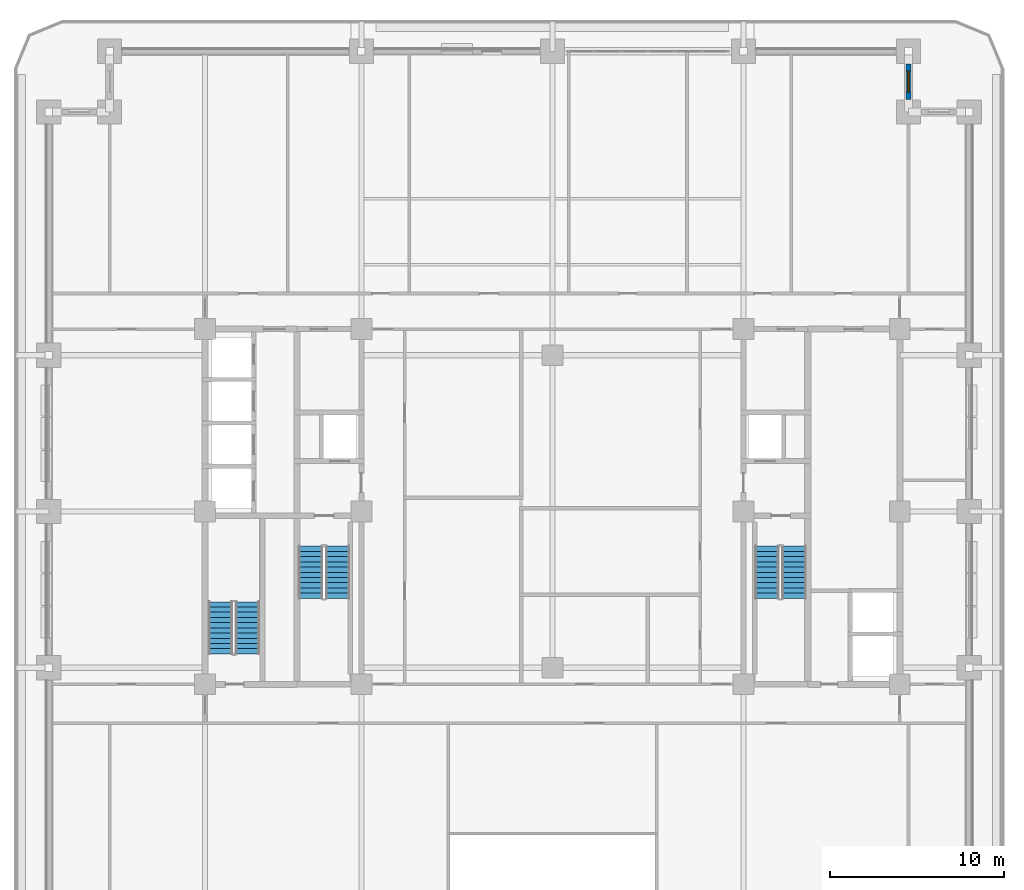
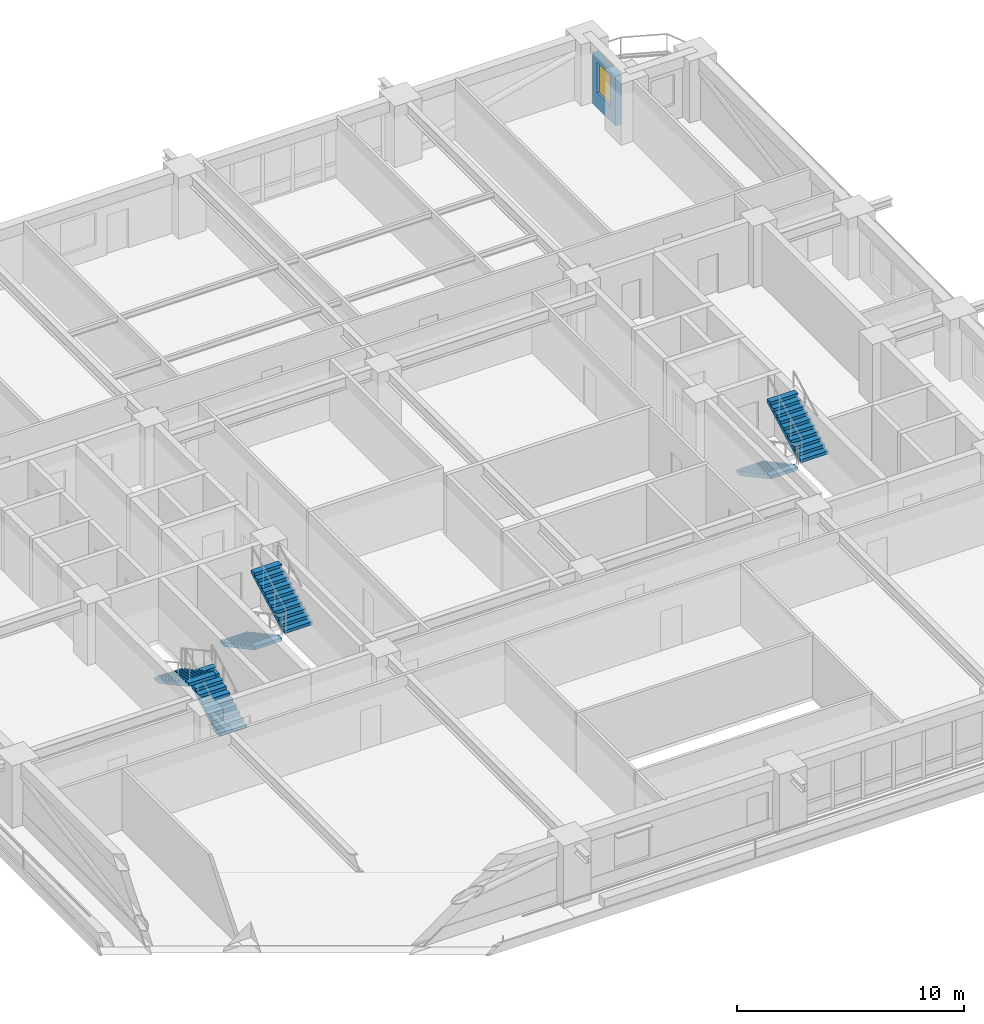
# One storey, part 12 of 20: 6 stair flights, 1 wall, 1 window, 1 opening, 3 elements without a shape of their own.
"""IFC4 building model written with IfcOpenShell, lengths in metres."""

from ifc_helpers import new_model, si_unit, direction, frame, frame_2d, origin, place, context, subcontext, project, spatial, polyline, rectangle, outline, extrude, material, layer, layer_set, type_object, element, fill, aggregate, save


model = new_model("IFC4")

# Units and contexts
model_context = context("Model", 3, precision=1e-05, world=origin(), true_north=direction((0.0, 1.0)))
body_context = subcontext(model_context, "Body", "Model", "MODEL_VIEW")
ifc_project = project(units=[si_unit("LENGTHUNIT", "METRE"), si_unit("AREAUNIT", "SQUARE_METRE"), si_unit("VOLUMEUNIT", "CUBIC_METRE"), si_unit("PLANEANGLEUNIT", "RADIAN"), si_unit("MASSUNIT", "GRAM", prefix="KILO")], contexts=[model_context])

# Site, building, storey
site_placement = place(None, origin())
site = spatial("IfcSite", under=ifc_project, at=site_placement, CompositionType="ELEMENT")
building_placement = place(site_placement, origin())
building = spatial("IfcBuilding", under=site, at=building_placement, Name="Zulmaris Gate Convention Tower", CompositionType="ELEMENT")
storey_placement = place(building_placement, frame((0.0, 0.0, 75.0400390625)))
storey = spatial("IfcBuildingStorey", under=building, at=storey_placement, Name="L18", CompositionType="ELEMENT", Elevation=75.0400390625)

# Wall, opening, window
ifc_material_1 = material(Name="Precast concrete C40/50", Category="concrete")
ifc_layer_1 = layer(ifc_material_1, 0.300048828125, Name="Precast concrete C40/50")
ifc_layer_set_1 = layer_set([ifc_layer_1], Name="Precast concrete C40/50")
wall_type = type_object("IfcWallType", Name="PRECAST-PIER-300", PredefinedType="STANDARD", material=ifc_layer_set_1)
wall_placement = place(storey_placement, frame((20.5, 23.72998046875, 0.0), z_axis=(0.0, 0.0, 1.0), x_axis=(0.0, 1.0, 0.0)))
wall = element("IfcWall", 1, at=wall_placement, inside=storey, type_object=wall_type, Name="EW-L18-NOTCH-NE2_0", PredefinedType="STANDARD", context=body_context, shape_type="SweptSolid", body=[
    extrude(rectangle(XDim=2.0400390625, YDim=0.300048828125, at=frame_2d((1.02001953125, 0.0))), origin(), (0.0, 0.0, 1.0), 2.7119140625),
])
opening_placement = place(wall_placement, frame((0.419921875, 0.0, 0.820068359375)))
opening = element("IfcOpeningElement", 2, at=opening_placement, cuts=wall, Name="Opening W-04", PredefinedType="OPENING", context=body_context, shape_type="SweptSolid", body=[
    extrude(rectangle(XDim=1.199951171875, YDim=1.64990234375, at=frame_2d((0.60009765625, 0.824951171875))), frame((0.0, 0.16015625, 0.0), z_axis=(0.0, -1.0, 0.0), x_axis=(1.0, 0.0, 0.0)), (0.0, 0.0, 1.0), 0.320068359375),
])
ifc_material_2 = material(Name="Low-E Laminated Double Glazing in Aluminium Frame", Category="aluminium")
window_type = type_object("IfcWindowType", Name="WIN-1200x2100", PartitioningType="SINGLE_PANEL", PredefinedType="WINDOW", material=ifc_material_2)
window_placement = place(opening_placement, origin())
window = element("IfcWindow", 3, at=window_placement, inside=storey, type_object=window_type, Name="WN-EW-L18-NOTCH-NE2_0", OverallHeight=1.64990234375, OverallWidth=1.199951171875, PartitioningType="SINGLE_PANEL", PredefinedType="WINDOW", context=body_context, shape_type="SweptSolid", body=[
    extrude(rectangle(XDim=1.199951171875, YDim=1.64990234375, at=frame_2d((0.60009765625, 0.824951171875))), frame((0.0, 0.030029296875, 0.0), z_axis=(0.0, -1.0, 0.0), x_axis=(1.0, 0.0, 0.0)), (0.0, 0.0, 1.0), 0.06005859375),
])
fill(opening, window)

# Stair, stair flights
ifc_material_3 = material(Name="Concrete C45/55", Category="concrete")
stair_type = type_object("IfcStairType", Name="ST-CORE-DOGLEG", PredefinedType="HALF_TURN_STAIR", material=ifc_material_3)
stair_1_placement = place(storey_placement, origin())
stair_1 = element("IfcStair", 4, at=stair_1_placement, inside=storey, type_object=stair_type, Name="L18 Core Exit Stair ST-1", PredefinedType="HALF_TURN_STAIR")
ifc_layer_2 = layer(ifc_material_3, 0.14990234375, Name="Concrete C45/55")
ifc_layer_set_2 = layer_set([ifc_layer_2], Name="Concrete C45/55")
stair_flight_type = type_object("IfcStairFlightType", Name="STF-RC150", PredefinedType="STRAIGHT", material=ifc_layer_set_2)
stair_flight_1_placement = place(storey_placement, frame((-13.919921875, -2.0, 0.0), z_axis=(0.0, 0.0, 1.0), x_axis=(0.0, -1.0, 0.0)))
stair_flight_1 = element("IfcStairFlight", 5, at=stair_flight_1_placement, type_object=stair_flight_type, Name="ST-1 flight 1", NumberOfRisers=11, NumberOfTreads=10, PredefinedType="STRAIGHT", RiserHeight=0.162268182, TreadLength=0.3, context=body_context, shape_type="SweptSolid", body=[
    extrude(outline(polyline([(0.0, 0.0), (0.0, 0.162353515625), (0.300048828125, 0.162353515625), (0.300048828125, 0.324462890625), (0.60009765625, 0.324462890625), (0.60009765625, 0.48681640625), (0.89990234375, 0.48681640625), (0.89990234375, 0.649169921875), (1.199951171875, 0.649169921875), (1.199951171875, 0.811279296875), (1.5, 0.811279296875), (1.5, 0.9736328125), (1.800048828125, 0.9736328125), (1.800048828125, 1.135986328125), (2.10009765625, 1.135986328125), (2.10009765625, 1.298095703125), (2.39990234375, 1.298095703125), (2.39990234375, 1.46044921875), (2.699951171875, 1.46044921875), (2.699951171875, 1.622802734375), (3.0, 1.622802734375), (3.0, 1.784912109375), (3.0, 1.4521484375), (0.315185546875, 0.0), (0.0, 0.0)])), frame((0.0, 0.699951171875, 0.0), z_axis=(0.0, -1.0, 0.0), x_axis=(1.0, 0.0, 0.0)), (0.0, 0.0, 1.0), 1.39990234375),
])
stair_flight_2_placement = place(storey_placement, frame((-12.360107421875, -5.0, 1.784912109375), z_axis=(0.0, 0.0, 1.0), x_axis=(0.0, 1.0, 0.0)))
stair_flight_2 = element("IfcStairFlight", 6, at=stair_flight_2_placement, type_object=stair_flight_type, Name="ST-1 flight 2", NumberOfRisers=11, NumberOfTreads=10, PredefinedType="STRAIGHT", RiserHeight=0.162268182, TreadLength=0.3, context=body_context, shape_type="SweptSolid", body=[
    extrude(outline(polyline([(0.0, 0.0), (0.0, 0.162353515625), (0.300048828125, 0.162353515625), (0.300048828125, 0.324462890625), (0.60009765625, 0.324462890625), (0.60009765625, 0.48681640625), (0.89990234375, 0.48681640625), (0.89990234375, 0.649169921875), (1.199951171875, 0.649169921875), (1.199951171875, 0.811279296875), (1.5, 0.811279296875), (1.5, 0.9736328125), (1.800048828125, 0.9736328125), (1.800048828125, 1.135986328125), (2.10009765625, 1.135986328125), (2.10009765625, 1.298095703125), (2.39990234375, 1.298095703125), (2.39990234375, 1.46044921875), (2.699951171875, 1.46044921875), (2.699951171875, 1.622802734375), (3.0, 1.622802734375), (3.0, 1.784912109375), (3.0, 1.4521484375), (0.315185546875, 0.0), (0.0, 0.0)])), frame((0.0, 0.699951171875, 0.0), z_axis=(0.0, -1.0, 0.0), x_axis=(1.0, 0.0, 0.0)), (0.0, 0.0, 1.0), 1.39990234375),
])
aggregate(stair_1, [stair_flight_1, stair_flight_2])

stair_2_placement = place(storey_placement, origin())
stair_2 = element("IfcStair", 7, at=stair_2_placement, inside=storey, type_object=stair_type, Name="L18 Core Exit Stair ST-2", PredefinedType="HALF_TURN_STAIR")
stair_flight_3_placement = place(storey_placement, frame((12.360107421875, -2.0, 0.0), z_axis=(0.0, 0.0, 1.0), x_axis=(0.0, -1.0, 0.0)))
stair_flight_3 = element("IfcStairFlight", 8, at=stair_flight_3_placement, type_object=stair_flight_type, Name="ST-2 flight 1", NumberOfRisers=11, NumberOfTreads=10, PredefinedType="STRAIGHT", RiserHeight=0.162268182, TreadLength=0.3, context=body_context, shape_type="SweptSolid", body=[
    extrude(outline(polyline([(0.0, 0.0), (0.0, 0.162353515625), (0.300048828125, 0.162353515625), (0.300048828125, 0.324462890625), (0.60009765625, 0.324462890625), (0.60009765625, 0.48681640625), (0.89990234375, 0.48681640625), (0.89990234375, 0.649169921875), (1.199951171875, 0.649169921875), (1.199951171875, 0.811279296875), (1.5, 0.811279296875), (1.5, 0.9736328125), (1.800048828125, 0.9736328125), (1.800048828125, 1.135986328125), (2.10009765625, 1.135986328125), (2.10009765625, 1.298095703125), (2.39990234375, 1.298095703125), (2.39990234375, 1.46044921875), (2.699951171875, 1.46044921875), (2.699951171875, 1.622802734375), (3.0, 1.622802734375), (3.0, 1.784912109375), (3.0, 1.4521484375), (0.315185546875, 0.0), (0.0, 0.0)])), frame((0.0, 0.699951171875, 0.0), z_axis=(0.0, -1.0, 0.0), x_axis=(1.0, 0.0, 0.0)), (0.0, 0.0, 1.0), 1.39990234375),
])
stair_flight_4_placement = place(storey_placement, frame((13.919921875, -5.0, 1.784912109375), z_axis=(0.0, 0.0, 1.0), x_axis=(0.0, 1.0, 0.0)))
stair_flight_4 = element("IfcStairFlight", 9, at=stair_flight_4_placement, type_object=stair_flight_type, Name="ST-2 flight 2", NumberOfRisers=11, NumberOfTreads=10, PredefinedType="STRAIGHT", RiserHeight=0.162268182, TreadLength=0.3, context=body_context, shape_type="SweptSolid", body=[
    extrude(outline(polyline([(0.0, 0.0), (0.0, 0.162353515625), (0.300048828125, 0.162353515625), (0.300048828125, 0.324462890625), (0.60009765625, 0.324462890625), (0.60009765625, 0.48681640625), (0.89990234375, 0.48681640625), (0.89990234375, 0.649169921875), (1.199951171875, 0.649169921875), (1.199951171875, 0.811279296875), (1.5, 0.811279296875), (1.5, 0.9736328125), (1.800048828125, 0.9736328125), (1.800048828125, 1.135986328125), (2.10009765625, 1.135986328125), (2.10009765625, 1.298095703125), (2.39990234375, 1.298095703125), (2.39990234375, 1.46044921875), (2.699951171875, 1.46044921875), (2.699951171875, 1.622802734375), (3.0, 1.622802734375), (3.0, 1.784912109375), (3.0, 1.4521484375), (0.315185546875, 0.0), (0.0, 0.0)])), frame((0.0, 0.699951171875, 0.0), z_axis=(0.0, -1.0, 0.0), x_axis=(1.0, 0.0, 0.0)), (0.0, 0.0, 1.0), 1.39990234375),
])
aggregate(stair_2, [stair_flight_3, stair_flight_4])

stair_3_placement = place(storey_placement, origin())
stair_3 = element("IfcStair", 10, at=stair_3_placement, inside=storey, type_object=stair_type, Name="L18 Core Exit Stair ST-3", PredefinedType="HALF_TURN_STAIR")
stair_flight_5_placement = place(storey_placement, frame((-17.56005859375, -8.199951171875, 0.0), z_axis=(0.0, 0.0, 1.0), x_axis=(0.0, 1.0, 0.0)))
stair_flight_5 = element("IfcStairFlight", 11, at=stair_flight_5_placement, type_object=stair_flight_type, Name="ST-3 flight 1", NumberOfRisers=11, NumberOfTreads=10, PredefinedType="STRAIGHT", RiserHeight=0.162268182, TreadLength=0.3, context=body_context, shape_type="SweptSolid", body=[
    extrude(outline(polyline([(0.0, 0.0), (0.0, 0.162353515625), (0.300048828125, 0.162353515625), (0.300048828125, 0.324462890625), (0.60009765625, 0.324462890625), (0.60009765625, 0.48681640625), (0.89990234375, 0.48681640625), (0.89990234375, 0.649169921875), (1.199951171875, 0.649169921875), (1.199951171875, 0.811279296875), (1.5, 0.811279296875), (1.5, 0.9736328125), (1.800048828125, 0.9736328125), (1.800048828125, 1.135986328125), (2.10009765625, 1.135986328125), (2.10009765625, 1.298095703125), (2.39990234375, 1.298095703125), (2.39990234375, 1.46044921875), (2.699951171875, 1.46044921875), (2.699951171875, 1.622802734375), (3.0, 1.622802734375), (3.0, 1.784912109375), (3.0, 1.4521484375), (0.315185546875, 0.0), (0.0, 0.0)])), frame((0.0, 0.699951171875, 0.0), z_axis=(0.0, -1.0, 0.0), x_axis=(1.0, 0.0, 0.0)), (0.0, 0.0, 1.0), 1.39990234375),
])
stair_flight_6_placement = place(storey_placement, frame((-19.1201171875, -5.199951171875, 1.784912109375), z_axis=(0.0, 0.0, 1.0), x_axis=(0.0, -1.0, 0.0)))
stair_flight_6 = element("IfcStairFlight", 12, at=stair_flight_6_placement, type_object=stair_flight_type, Name="ST-3 flight 2", NumberOfRisers=11, NumberOfTreads=10, PredefinedType="STRAIGHT", RiserHeight=0.162268182, TreadLength=0.3, context=body_context, shape_type="SweptSolid", body=[
    extrude(outline(polyline([(0.0, 0.0), (0.0, 0.162353515625), (0.300048828125, 0.162353515625), (0.300048828125, 0.324462890625), (0.60009765625, 0.324462890625), (0.60009765625, 0.48681640625), (0.89990234375, 0.48681640625), (0.89990234375, 0.649169921875), (1.199951171875, 0.649169921875), (1.199951171875, 0.811279296875), (1.5, 0.811279296875), (1.5, 0.9736328125), (1.800048828125, 0.9736328125), (1.800048828125, 1.135986328125), (2.10009765625, 1.135986328125), (2.10009765625, 1.298095703125), (2.39990234375, 1.298095703125), (2.39990234375, 1.46044921875), (2.699951171875, 1.46044921875), (2.699951171875, 1.622802734375), (3.0, 1.622802734375), (3.0, 1.784912109375), (3.0, 1.4521484375), (0.315185546875, 0.0), (0.0, 0.0)])), frame((0.0, 0.699951171875, 0.0), z_axis=(0.0, -1.0, 0.0), x_axis=(1.0, 0.0, 0.0)), (0.0, 0.0, 1.0), 1.39990234375),
])
aggregate(stair_3, [stair_flight_5, stair_flight_6])

save(model, "model.ifc")
